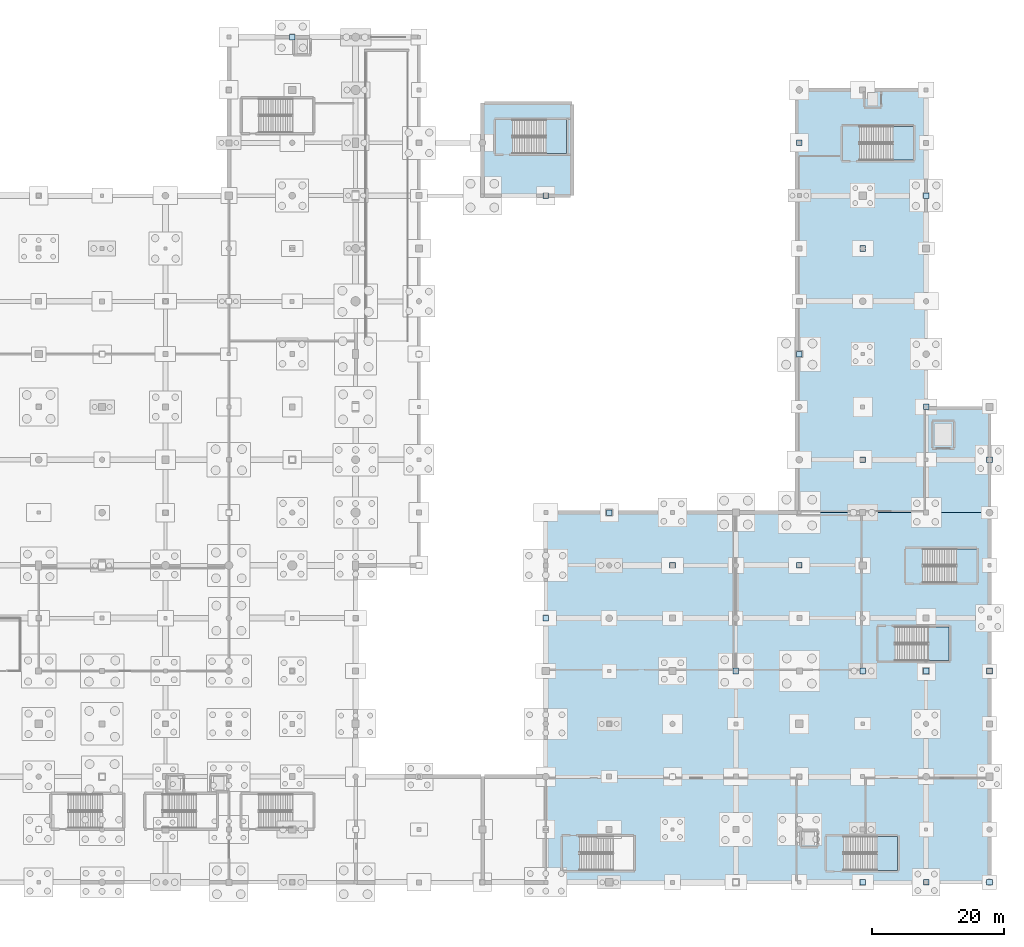
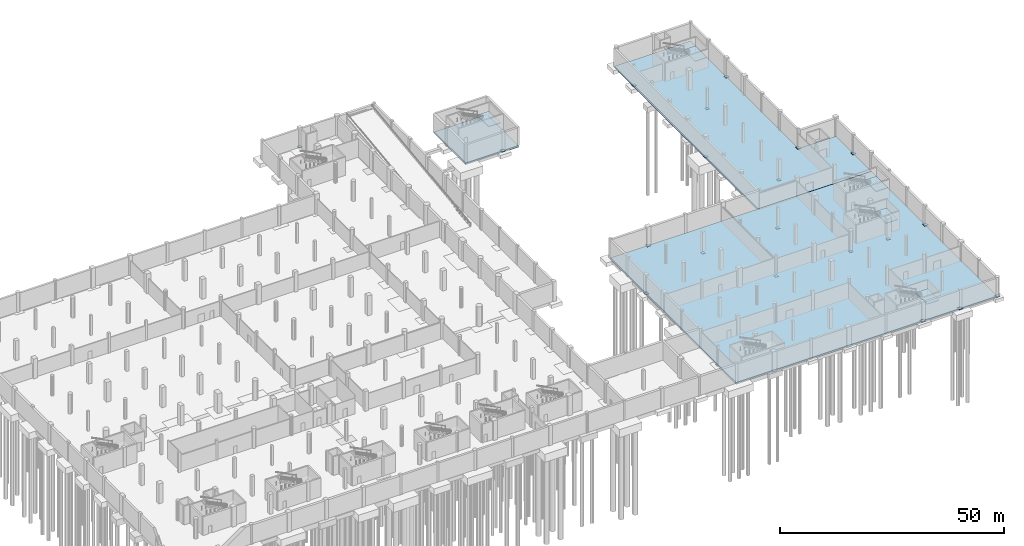
# One storey, part 17 of 44: 20 plates, 8 slabs, 5 elements without a shape of their own.
"""IFC4 building model written with IfcOpenShell, lengths in metres."""

from ifc_helpers import new_model, si_unit, direction, frame, origin, origin_2d, place, context, subcontext, project, spatial, polyline, rectangle, outline, extrude, material, layer, layer_set, type_object, element, aggregate, save


model = new_model("IFC4")

# Units and contexts
model_context = context("Model", 3, precision=1e-05, world=origin(), true_north=direction((0.0, 1.0)))
body_context = subcontext(model_context, "Body", "Model", "MODEL_VIEW")
ifc_project = project(units=[si_unit("LENGTHUNIT", "METRE"), si_unit("AREAUNIT", "SQUARE_METRE"), si_unit("VOLUMEUNIT", "CUBIC_METRE"), si_unit("PLANEANGLEUNIT", "RADIAN"), si_unit("MASSUNIT", "GRAM", prefix="KILO")], contexts=[model_context])

# Site, building, storey
site_placement = place(None, origin())
site = spatial("IfcSite", under=ifc_project, at=site_placement, CompositionType="ELEMENT")
building_placement = place(site_placement, origin())
building = spatial("IfcBuilding", under=site, at=building_placement, Name="Danafjord Basin Convention Centre", CompositionType="ELEMENT")
storey_placement = place(building_placement, frame((0.0, 0.0, -5.39990234375)))
storey = spatial("IfcBuildingStorey", under=building, at=storey_placement, Name="B1", CompositionType="ELEMENT", Elevation=-5.39990234375)

# Plates
ifc_material_1 = material(Name="Steel S355", Category="steel")
ifc_layer_1 = layer(ifc_material_1, 0.0400390625)
ifc_layer_set_1 = layer_set([ifc_layer_1], Name="Steel S355")
plate_type = type_object("IfcPlateType", Name="PLT-BP-40", PredefinedType="SHEET", material=ifc_layer_set_1)
for number, where, z_axis, x_axis, name in (
    (1, (105.60009765625, 136.0, 0.0), (0.0, 0.0, 1.0), (1.0, 0.0, 0.0), "B1 column baseplate BP-40 at (105.6, 136.0)"),
    (2, (144.0, 48.0, 0.0), (0.0, 0.0, 1.0), (1.0, 0.0, 0.0), "B1 column baseplate BP-40 at (144.0, 48.0)"),
    (3, (144.0, 112.0, 0.0), (0.0, 0.0, 1.0), (1.0, 0.0, 0.0), "B1 column baseplate BP-40 at (144.0, 112.0)"),
    (4, (153.60009765625, 64.0, 0.0), (0.0, 0.0, 1.0), (1.0, 0.0, 0.0), "B1 column baseplate BP-40 at (153.6, 64.0)"),
    (5, (163.199951171875, 56.0, -0.550048828125), (0.0, 0.0, 1.0), (1.0, 0.0, 0.0), "B1 column baseplate BP-40 at (163.2, 56.0)"),
    (6, (172.800048828125, 40.0, -0.550048828125), (0.0, 0.0, 1.0), (1.0, 0.0, 0.0), "B1 column baseplate BP-40 at (172.8, 40.0)"),
    (7, (182.39990234375, 56.0, -0.550048828125), (0.0, 0.0, 1.0), (1.0, 0.0, 0.0), "B1 column baseplate BP-40 at (182.4, 56.0)"),
    (8, (182.39990234375, 88.0, -0.5), (0.0, 0.0, 1.0), (1.0, 0.0, 0.0), "B1 column baseplate BP-40 at (182.4, 88.0)"),
    (9, (182.39990234375, 120.0, -0.5), (0.0, 0.0, 1.0), (1.0, 0.0, 0.0), "B1 column baseplate BP-40 at (182.4, 120.0)"),
    (10, (192.0, 8.0, 0.0), (0.0, 0.0, 1.0), (1.0, 0.0, 0.0), "B1 column baseplate BP-40 at (192.0, 8.0)"),
    (11, (192.0, 40.0, -0.550048828125), (0.0, 0.0, 1.0), (1.0, 0.0, 0.0), "B1 column baseplate BP-40 at (192.0, 40.0)"),
    (12, (192.0, 72.0, -0.5), (0.0, 0.0, 1.0), (1.0, 0.0, 0.0), "B1 column baseplate BP-40 at (192.0, 72.0)"),
    (13, (192.0, 104.0, -0.5), (0.0, 0.0, 1.0), (1.0, 0.0, 0.0), "B1 column baseplate BP-40 at (192.0, 104.0)"),
    (14, (201.60009765625, 8.0, 0.0), (0.0, 0.0, 1.0), (1.0, 0.0, 0.0), "B1 column baseplate BP-40 at (201.6, 8.0)"),
    (15, (201.60009765625, 40.0, -0.550048828125), (0.0, 0.0, 1.0), (1.0, 0.0, 0.0), "B1 column baseplate BP-40 at (201.6, 40.0)"),
    (16, (201.60009765625, 80.0, 0.0), (0.0, 0.0, 1.0), (1.0, 0.0, 0.0), "B1 column baseplate BP-40 at (201.6, 80.0)"),
    (17, (201.60009765625, 112.0, 0.0), (0.0, 0.0, 1.0), (1.0, 0.0, 0.0), "B1 column baseplate BP-40 at (201.6, 112.0)"),
    (18, (211.199951171875, 8.0, 0.0), (0.0, 0.0, 1.0), (1.0, 0.0, 0.0), "B1 column baseplate BP-40 at (211.2, 8.0)"),
    (19, (211.199951171875, 40.0, 0.0), (0.0, 0.0, 1.0), (1.0, 0.0, 0.0), "B1 column baseplate BP-40 at (211.2, 40.0)"),
    (20, (211.199951171875, 72.0, 0.0), (0.0, 0.0, 1.0), (1.0, 0.0, 0.0), "B1 column baseplate BP-40 at (211.2, 72.0)"),
):
    element("IfcPlate", number, at=place(storey_placement, frame(where, z_axis=z_axis, x_axis=x_axis)), inside=storey, type_object=plate_type, Name=name, PredefinedType="SHEET", context=body_context, shape_type="SweptSolid", body=[
        extrude(rectangle(XDim=0.85009765625, YDim=0.85009765625, at=origin_2d()), origin(), (0.0, 0.0, 1.0), 0.0400390625),
    ])

# Slabs
ifc_material_2 = material(Name="Concrete C40/50", Category="concrete")
ifc_layer_2 = layer(ifc_material_2, 0.5)
ifc_layer_set_2 = layer_set([ifc_layer_2], Name="Concrete C40/50")
slab_type_1 = type_object("IfcSlabType", Name="SLAB-BS-500", PredefinedType="BASESLAB", material=ifc_layer_set_2)
slab_1_placement = place(storey_placement, frame((0.0, 0.0, -0.5)))
element("IfcSlab", 21, at=slab_1_placement, inside=storey, type_object=slab_type_1, Name="B1 BS-500 slab SL-B1-E2", PredefinedType="BASESLAB", context=body_context, shape_type="SweptSolid", body=[
    extrude(outline(polyline([(182.0, 64.0), (182.0, 128.0), (201.60009765625, 128.0), (201.60009765625, 79.800048828125), (211.199951171875, 79.800048828125), (211.199951171875, 64.0), (182.0, 64.0)])), origin(), (0.0, 0.0, 1.0), 0.5),
])
slab_2_placement = place(storey_placement, frame((0.0, 0.0, -0.5)))
element("IfcSlab", 22, at=slab_2_placement, inside=storey, type_object=slab_type_1, Name="B1 BS-500 slab SL-B1-P1", PredefinedType="BASESLAB", context=body_context, shape_type="SweptSolid", body=[
    extrude(outline(polyline([(134.449951171875, 112.0), (134.449951171875, 126.0), (148.0, 126.0), (148.0, 112.0), (134.449951171875, 112.0)])), origin(), (0.0, 0.0, 1.0), 0.5),
])
ifc_layer_3 = layer(ifc_material_2, 0.550048828125)
ifc_layer_set_3 = layer_set([ifc_layer_3], Name="Concrete C40/50")
slab_type_2 = type_object("IfcSlabType", Name="SLAB-BS-550", PredefinedType="BASESLAB", material=ifc_layer_set_3)
slab_3_placement = place(storey_placement, frame((0.0, 0.0, -0.550048828125)))
element("IfcSlab", 23, at=slab_3_placement, inside=storey, type_object=slab_type_2, Name="B1 BS-550 slab SL-B1-E1", PredefinedType="BASESLAB", context=body_context, shape_type="SweptSolid", body=[
    extrude(outline(polyline([(144.0, 8.0), (144.0, 64.0), (211.199951171875, 64.0), (211.199951171875, 8.0), (144.0, 8.0)])), origin(), (0.0, 0.0, 1.0), 0.550048828125),
])

# Stair, slab
stair_type = type_object("IfcStairType", Name="STAIR-STR-C01", PredefinedType="TWO_STRAIGHT_RUN_STAIR", material=ifc_material_2)
stair_1_placement = place(storey_placement, origin())
stair_1 = element("IfcStair", 24, at=stair_1_placement, inside=storey, type_object=stair_type, Name="B1 Plenary North-East Core Stair 1", PredefinedType="HALF_TURN_STAIR")
ifc_layer_4 = layer(ifc_material_2, 0.199951171875)
ifc_layer_set_4 = layer_set([ifc_layer_4], Name="Concrete C40/50")
slab_type_3 = type_object("IfcSlabType", Name="SLAB-LAND-200", PredefinedType="LANDING", material=ifc_layer_set_4)
slab_4_placement = place(storey_placement, frame((0.0, 0.0, 2.5)))
slab_4 = element("IfcSlab", 25, at=slab_4_placement, type_object=slab_type_3, Name="ST-11 landing 1", PredefinedType="LANDING", context=body_context, shape_type="SweptSolid", body=[
    extrude(outline(polyline([(196.590087890625, 117.360107421875), (199.679931640625, 117.360107421875), (199.679931640625, 122.5), (196.590087890625, 122.5), (196.590087890625, 117.360107421875)])), origin(), (0.0, 0.0, 1.0), 0.199951171875),
])
aggregate(stair_1, [slab_4])

stair_2_placement = place(storey_placement, origin())
stair_2 = element("IfcStair", 26, at=stair_2_placement, inside=storey, type_object=stair_type, Name="B1 Ballroom East Core Stair 1", PredefinedType="HALF_TURN_STAIR")
slab_5_placement = place(storey_placement, frame((0.0, 0.0, 2.5)))
slab_5 = element("IfcSlab", 27, at=slab_5_placement, type_object=slab_type_3, Name="ST-13 landing 1", PredefinedType="LANDING", context=body_context, shape_type="SweptSolid", body=[
    extrude(outline(polyline([(206.18994140625, 53.360107421875), (209.280029296875, 53.360107421875), (209.280029296875, 58.5), (206.18994140625, 58.5), (206.18994140625, 53.360107421875)])), origin(), (0.0, 0.0, 1.0), 0.199951171875),
])
aggregate(stair_2, [slab_5])

stair_3_placement = place(storey_placement, origin())
stair_3 = element("IfcStair", 28, at=stair_3_placement, inside=storey, type_object=stair_type, Name="B1 Harbour Pavilion Core Stair 1", PredefinedType="HALF_TURN_STAIR")
slab_6_placement = place(storey_placement, frame((0.0, 0.0, 2.5)))
slab_6 = element("IfcSlab", 29, at=slab_6_placement, type_object=slab_type_3, Name="ST-15 landing 1", PredefinedType="LANDING", context=body_context, shape_type="SweptSolid", body=[
    extrude(outline(polyline([(194.18994140625, 9.81005859375), (197.280029296875, 9.81005859375), (197.280029296875, 14.949951171875), (194.18994140625, 14.949951171875), (194.18994140625, 9.81005859375)])), origin(), (0.0, 0.0, 1.0), 0.199951171875),
])
aggregate(stair_3, [slab_6])

stair_4_placement = place(storey_placement, origin())
stair_4 = element("IfcStair", 30, at=stair_4_placement, inside=storey, type_object=stair_type, Name="B1 Plenary West Escape Stair", PredefinedType="HALF_TURN_STAIR")
slab_7_placement = place(storey_placement, frame((0.0, 0.0, 2.5)))
slab_7 = element("IfcSlab", 31, at=slab_7_placement, type_object=slab_type_3, Name="ST-12 landing 1", PredefinedType="LANDING", context=body_context, shape_type="SweptSolid", body=[
    extrude(outline(polyline([(144.0400390625, 118.360107421875), (147.1298828125, 118.360107421875), (147.1298828125, 123.5), (144.0400390625, 123.5), (144.0400390625, 118.360107421875)])), origin(), (0.0, 0.0, 1.0), 0.199951171875),
])
aggregate(stair_4, [slab_7])

stair_5_placement = place(storey_placement, origin())
stair_5 = element("IfcStair", 32, at=stair_5_placement, inside=storey, type_object=stair_type, Name="B1 Ballroom South-East Escape Stair", PredefinedType="HALF_TURN_STAIR")
slab_8_placement = place(storey_placement, frame((0.0, 0.0, 2.5)))
slab_8 = element("IfcSlab", 33, at=slab_8_placement, type_object=slab_type_3, Name="ST-14 landing 1", PredefinedType="LANDING", context=body_context, shape_type="SweptSolid", body=[
    extrude(outline(polyline([(201.989990234375, 41.56005859375), (205.080078125, 41.56005859375), (205.080078125, 46.699951171875), (201.989990234375, 46.699951171875), (201.989990234375, 41.56005859375)])), origin(), (0.0, 0.0, 1.0), 0.199951171875),
])
aggregate(stair_5, [slab_8])

save(model, "model.ifc")
